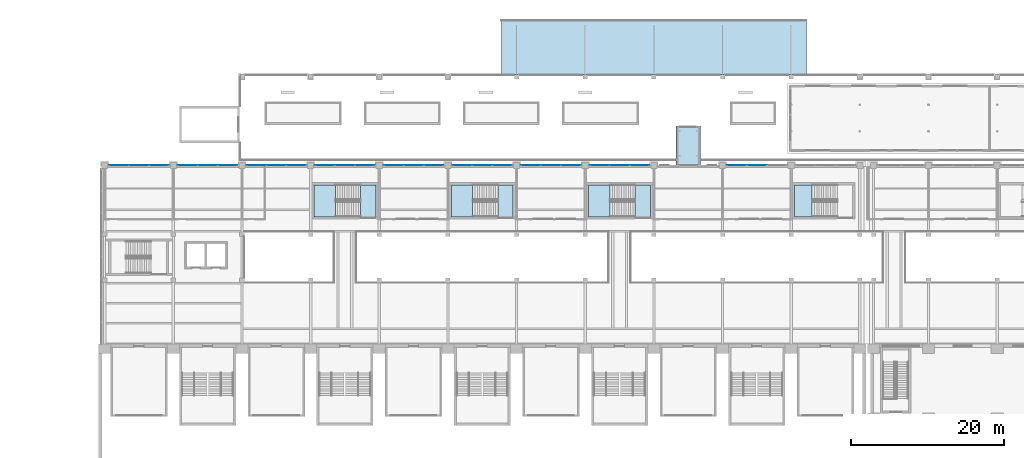
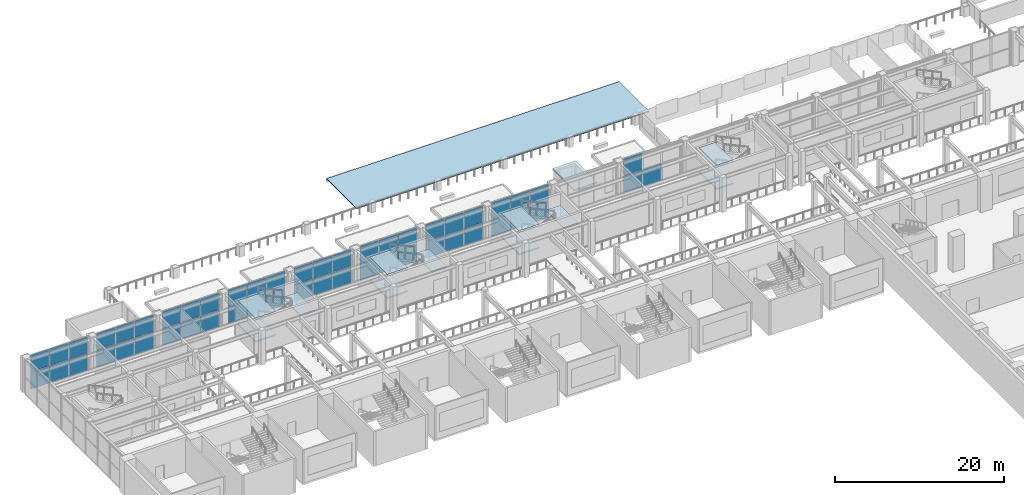
# One storey, part 31 of 67: 51 plates, 13 slabs, 13 elements without a shape of their own.
"""IFC4 building model written with IfcOpenShell, lengths in metres."""

from ifc_helpers import new_model, si_unit, direction, frame, origin, origin_2d, place, context, subcontext, project, spatial, polyline, rectangle, outline, extrude, material, layer, layer_set, type_object, element, aggregate, save


model = new_model("IFC4")

# Units and contexts
model_context = context("Model", 3, precision=1e-05, world=origin(), true_north=direction((0.0, 1.0)))
body_context = subcontext(model_context, "Body", "Model", "MODEL_VIEW")
ifc_project = project(units=[si_unit("LENGTHUNIT", "METRE"), si_unit("AREAUNIT", "SQUARE_METRE"), si_unit("VOLUMEUNIT", "CUBIC_METRE"), si_unit("PLANEANGLEUNIT", "RADIAN"), si_unit("MASSUNIT", "GRAM", prefix="KILO")], contexts=[model_context])

# Site, building, storey
site_placement = place(None, origin())
site = spatial("IfcSite", under=ifc_project, at=site_placement, CompositionType="ELEMENT")
building_placement = place(site_placement, origin())
building = spatial("IfcBuilding", under=site, at=building_placement, Name="Aravalli Gate Trade Fair Centre", CompositionType="ELEMENT")
storey_placement = place(building_placement, frame((0.0, 0.0, 5.0)))
storey = spatial("IfcBuildingStorey", under=building, at=storey_placement, Name="L01", CompositionType="ELEMENT", Elevation=5.0)

# Stair, slabs
ifc_material_1 = material(Name="Concrete M30", Category="concrete")
stair_type = type_object("IfcStairType", Name="Concourse stair, 2000 wide", PredefinedType="HALF_TURN_STAIR", material=ifc_material_1)
stair_1_placement = place(storey_placement, origin())
stair_1 = element("IfcStair", 1, at=stair_1_placement, inside=storey, type_object=stair_type, Name="Stair XA L01", PredefinedType="HALF_TURN_STAIR")
ifc_layer_1 = layer(ifc_material_1, 0.199951171875)
ifc_layer_set_1 = layer_set([ifc_layer_1], Name="Concrete M30")
slab_type_1 = type_object("IfcSlabType", Name="Concourse stair landing 200", PredefinedType="LANDING", material=ifc_layer_set_1)
slab_1_placement = place(storey_placement, frame((0.0, 0.0, 1.466796875)))
slab_1 = element("IfcSlab", 2, at=slab_1_placement, type_object=slab_type_1, Name="STXA-L01 landing 1", PredefinedType="LANDING", context=body_context, shape_type="SweptSolid", body=[
    extrude(outline(polyline([(33.449951171875, 126.300048828125), (36.25, 126.300048828125), (36.25, 130.5), (33.449951171875, 130.5), (33.449951171875, 126.300048828125)])), origin(), (0.0, 0.0, 1.0), 0.199951171875),
])
slab_2_placement = place(storey_placement, frame((0.0, 0.0, 3.13330078125)))
slab_2 = element("IfcSlab", 3, at=slab_2_placement, type_object=slab_type_1, Name="STXA-L01 landing 2", PredefinedType="LANDING", context=body_context, shape_type="SweptSolid", body=[
    extrude(outline(polyline([(39.550048828125, 126.300048828125), (41.550048828125, 126.300048828125), (41.550048828125, 130.5), (39.550048828125, 130.5), (39.550048828125, 126.300048828125)])), origin(), (0.0, 0.0, 1.0), 0.199951171875),
])
slab_3_placement = place(storey_placement, frame((0.0, 0.0, 4.800048828125)))
slab_3 = element("IfcSlab", 4, at=slab_3_placement, type_object=slab_type_1, Name="STXA-L01 landing 3", PredefinedType="LANDING", context=body_context, shape_type="SweptSolid", body=[
    extrude(outline(polyline([(33.449951171875, 126.300048828125), (36.25, 126.300048828125), (36.25, 130.5), (33.449951171875, 130.5), (33.449951171875, 126.300048828125)])), origin(), (0.0, 0.0, 1.0), 0.199951171875),
])
aggregate(stair_1, [slab_1, slab_2, slab_3])

stair_2_placement = place(storey_placement, origin())
stair_2 = element("IfcStair", 5, at=stair_2_placement, inside=storey, type_object=stair_type, Name="Stair XB L01", PredefinedType="HALF_TURN_STAIR")
slab_4_placement = place(storey_placement, frame((0.0, 0.0, 1.466796875)))
slab_4 = element("IfcSlab", 6, at=slab_4_placement, type_object=slab_type_1, Name="STXB-L01 landing 1", PredefinedType="LANDING", context=body_context, shape_type="SweptSolid", body=[
    extrude(outline(polyline([(51.449951171875, 126.300048828125), (54.25, 126.300048828125), (54.25, 130.5), (51.449951171875, 130.5), (51.449951171875, 126.300048828125)])), origin(), (0.0, 0.0, 1.0), 0.199951171875),
])
slab_5_placement = place(storey_placement, frame((0.0, 0.0, 3.13330078125)))
slab_5 = element("IfcSlab", 7, at=slab_5_placement, type_object=slab_type_1, Name="STXB-L01 landing 2", PredefinedType="LANDING", context=body_context, shape_type="SweptSolid", body=[
    extrude(outline(polyline([(57.550048828125, 126.300048828125), (59.550048828125, 126.300048828125), (59.550048828125, 130.5), (57.550048828125, 130.5), (57.550048828125, 126.300048828125)])), origin(), (0.0, 0.0, 1.0), 0.199951171875),
])
slab_6_placement = place(storey_placement, frame((0.0, 0.0, 4.800048828125)))
slab_6 = element("IfcSlab", 8, at=slab_6_placement, type_object=slab_type_1, Name="STXB-L01 landing 3", PredefinedType="LANDING", context=body_context, shape_type="SweptSolid", body=[
    extrude(outline(polyline([(51.449951171875, 126.300048828125), (54.25, 126.300048828125), (54.25, 130.5), (51.449951171875, 130.5), (51.449951171875, 126.300048828125)])), origin(), (0.0, 0.0, 1.0), 0.199951171875),
])
aggregate(stair_2, [slab_4, slab_5, slab_6])

stair_3_placement = place(storey_placement, origin())
stair_3 = element("IfcStair", 9, at=stair_3_placement, inside=storey, type_object=stair_type, Name="Stair XC L01", PredefinedType="HALF_TURN_STAIR")
slab_7_placement = place(storey_placement, frame((0.0, 0.0, 1.466796875)))
slab_7 = element("IfcSlab", 10, at=slab_7_placement, type_object=slab_type_1, Name="STXC-L01 landing 1", PredefinedType="LANDING", context=body_context, shape_type="SweptSolid", body=[
    extrude(outline(polyline([(69.449951171875, 126.300048828125), (72.25, 126.300048828125), (72.25, 130.5), (69.449951171875, 130.5), (69.449951171875, 126.300048828125)])), origin(), (0.0, 0.0, 1.0), 0.199951171875),
])
slab_8_placement = place(storey_placement, frame((0.0, 0.0, 3.13330078125)))
slab_8 = element("IfcSlab", 11, at=slab_8_placement, type_object=slab_type_1, Name="STXC-L01 landing 2", PredefinedType="LANDING", context=body_context, shape_type="SweptSolid", body=[
    extrude(outline(polyline([(75.550048828125, 126.300048828125), (77.550048828125, 126.300048828125), (77.550048828125, 130.5), (75.550048828125, 130.5), (75.550048828125, 126.300048828125)])), origin(), (0.0, 0.0, 1.0), 0.199951171875),
])
slab_9_placement = place(storey_placement, frame((0.0, 0.0, 4.800048828125)))
slab_9 = element("IfcSlab", 12, at=slab_9_placement, type_object=slab_type_1, Name="STXC-L01 landing 3", PredefinedType="LANDING", context=body_context, shape_type="SweptSolid", body=[
    extrude(outline(polyline([(69.449951171875, 126.300048828125), (72.25, 126.300048828125), (72.25, 130.5), (69.449951171875, 130.5), (69.449951171875, 126.300048828125)])), origin(), (0.0, 0.0, 1.0), 0.199951171875),
])
aggregate(stair_3, [slab_7, slab_8, slab_9])

stair_4_placement = place(storey_placement, origin())
stair_4 = element("IfcStair", 13, at=stair_4_placement, inside=storey, type_object=stair_type, Name="Stair XD L01", PredefinedType="HALF_TURN_STAIR")
slab_10_placement = place(storey_placement, frame((0.0, 0.0, 1.466796875)))
slab_10 = element("IfcSlab", 14, at=slab_10_placement, type_object=slab_type_1, Name="STXD-L01 landing 1", PredefinedType="LANDING", context=body_context, shape_type="SweptSolid", body=[
    extrude(outline(polyline([(96.449951171875, 126.300048828125), (98.75, 126.300048828125), (98.75, 130.5), (96.449951171875, 130.5), (96.449951171875, 126.300048828125)])), origin(), (0.0, 0.0, 1.0), 0.199951171875),
])
slab_11_placement = place(storey_placement, frame((0.0, 0.0, 4.800048828125)))
slab_11 = element("IfcSlab", 15, at=slab_11_placement, type_object=slab_type_1, Name="STXD-L01 landing 3", PredefinedType="LANDING", context=body_context, shape_type="SweptSolid", body=[
    extrude(outline(polyline([(96.449951171875, 126.300048828125), (98.75, 126.300048828125), (98.75, 130.5), (96.449951171875, 130.5), (96.449951171875, 126.300048828125)])), origin(), (0.0, 0.0, 1.0), 0.199951171875),
])
aggregate(stair_4, [slab_10, slab_11])

# Curtain wall, plates
ifc_material_2 = material(Name="Aluminium and glass", Category="aluminium")
curtain_wall_type = type_object("IfcCurtainWallType", Name="Curtain wall 3000 module, tall", PredefinedType="NOTDEFINED", material=ifc_material_2)
curtain_wall_1_placement = place(storey_placement, origin())
curtain_wall_1 = element("IfcCurtainWall", 16, at=curtain_wall_1_placement, inside=storey, type_object=curtain_wall_type, Name="Curtain wall north bay 1 L01", PredefinedType="NOTDEFINED")
ifc_material_3 = material(Name="Glass, double glazed", Category="glass")
ifc_layer_2 = layer(ifc_material_3, 0.028076171875)
ifc_layer_set_2 = layer_set([ifc_layer_2], Name="Glass, double glazed")
plate_type = type_object("IfcPlateType", Name="Curtain wall panel, double glazed 28", PredefinedType="CURTAIN_PANEL", material=ifc_layer_set_2)
plate_1_placement = place(storey_placement, frame((7.881591796875, 133.044921875, 0.06005859375), z_axis=(0.0, 0.0, 1.0), x_axis=(1.0, 0.0, 0.0)))
plate_1 = element("IfcPlate", 17, at=plate_1_placement, type_object=plate_type, Name="CW3 panel 1.1", PredefinedType="CURTAIN_PANEL", context=body_context, shape_type="SweptSolid", body=[
    extrude(rectangle(XDim=2.543212890625, YDim=0.028076171875, at=origin_2d()), origin(), (0.0, 0.0, 1.0), 2.409912109375),
])
plate_2_placement = place(storey_placement, frame((7.881591796875, 133.044921875, 2.5302734375), z_axis=(0.0, 0.0, 1.0), x_axis=(1.0, 0.0, 0.0)))
plate_2 = element("IfcPlate", 18, at=plate_2_placement, type_object=plate_type, Name="CW3 panel 1.2", PredefinedType="CURTAIN_PANEL", context=body_context, shape_type="SweptSolid", body=[
    extrude(rectangle(XDim=2.543212890625, YDim=0.028076171875, at=origin_2d()), origin(), (0.0, 0.0, 1.0), 2.409912109375),
])
plate_3_placement = place(storey_placement, frame((10.5, 133.044921875, 0.06005859375), z_axis=(0.0, 0.0, 1.0), x_axis=(1.0, 0.0, 0.0)))
plate_3 = element("IfcPlate", 19, at=plate_3_placement, type_object=plate_type, Name="CW3 panel 2.1", PredefinedType="CURTAIN_PANEL", context=body_context, shape_type="SweptSolid", body=[
    extrude(rectangle(XDim=2.5732421875, YDim=0.028076171875, at=origin_2d()), origin(), (0.0, 0.0, 1.0), 2.409912109375),
])
plate_4_placement = place(storey_placement, frame((10.5, 133.044921875, 2.5302734375), z_axis=(0.0, 0.0, 1.0), x_axis=(1.0, 0.0, 0.0)))
plate_4 = element("IfcPlate", 20, at=plate_4_placement, type_object=plate_type, Name="CW3 panel 2.2", PredefinedType="CURTAIN_PANEL", context=body_context, shape_type="SweptSolid", body=[
    extrude(rectangle(XDim=2.5732421875, YDim=0.028076171875, at=origin_2d()), origin(), (0.0, 0.0, 1.0), 2.409912109375),
])
plate_5_placement = place(storey_placement, frame((13.118408203125, 133.044921875, 0.06005859375), z_axis=(0.0, 0.0, 1.0), x_axis=(1.0, 0.0, 0.0)))
plate_5 = element("IfcPlate", 21, at=plate_5_placement, type_object=plate_type, Name="CW3 panel 3.1", PredefinedType="CURTAIN_PANEL", context=body_context, shape_type="SweptSolid", body=[
    extrude(rectangle(XDim=2.543212890625, YDim=0.028076171875, at=origin_2d()), origin(), (0.0, 0.0, 1.0), 2.409912109375),
])
plate_6_placement = place(storey_placement, frame((13.118408203125, 133.044921875, 2.5302734375), z_axis=(0.0, 0.0, 1.0), x_axis=(1.0, 0.0, 0.0)))
plate_6 = element("IfcPlate", 22, at=plate_6_placement, type_object=plate_type, Name="CW3 panel 3.2", PredefinedType="CURTAIN_PANEL", context=body_context, shape_type="SweptSolid", body=[
    extrude(rectangle(XDim=2.543212890625, YDim=0.028076171875, at=origin_2d()), origin(), (0.0, 0.0, 1.0), 2.409912109375),
])
aggregate(curtain_wall_1, [plate_1, plate_2, plate_3, plate_4, plate_5, plate_6])

curtain_wall_2_placement = place(storey_placement, origin())
curtain_wall_2 = element("IfcCurtainWall", 23, at=curtain_wall_2_placement, inside=storey, type_object=curtain_wall_type, Name="Curtain wall north bay 2 L01", PredefinedType="NOTDEFINED")
plate_7_placement = place(storey_placement, frame((16.881591796875, 133.044921875, 0.06005859375), z_axis=(0.0, 0.0, 1.0), x_axis=(1.0, 0.0, 0.0)))
plate_7 = element("IfcPlate", 24, at=plate_7_placement, type_object=plate_type, Name="CW3 panel 1.1", PredefinedType="CURTAIN_PANEL", context=body_context, shape_type="SweptSolid", body=[
    extrude(rectangle(XDim=2.543212890625, YDim=0.028076171875, at=origin_2d()), origin(), (0.0, 0.0, 1.0), 2.409912109375),
])
plate_8_placement = place(storey_placement, frame((16.881591796875, 133.044921875, 2.5302734375), z_axis=(0.0, 0.0, 1.0), x_axis=(1.0, 0.0, 0.0)))
plate_8 = element("IfcPlate", 25, at=plate_8_placement, type_object=plate_type, Name="CW3 panel 1.2", PredefinedType="CURTAIN_PANEL", context=body_context, shape_type="SweptSolid", body=[
    extrude(rectangle(XDim=2.543212890625, YDim=0.028076171875, at=origin_2d()), origin(), (0.0, 0.0, 1.0), 2.409912109375),
])
plate_9_placement = place(storey_placement, frame((19.5, 133.044921875, 0.06005859375), z_axis=(0.0, 0.0, 1.0), x_axis=(1.0, 0.0, 0.0)))
plate_9 = element("IfcPlate", 26, at=plate_9_placement, type_object=plate_type, Name="CW3 panel 2.1", PredefinedType="CURTAIN_PANEL", context=body_context, shape_type="SweptSolid", body=[
    extrude(rectangle(XDim=2.5732421875, YDim=0.028076171875, at=origin_2d()), origin(), (0.0, 0.0, 1.0), 2.409912109375),
])
plate_10_placement = place(storey_placement, frame((19.5, 133.044921875, 2.5302734375), z_axis=(0.0, 0.0, 1.0), x_axis=(1.0, 0.0, 0.0)))
plate_10 = element("IfcPlate", 27, at=plate_10_placement, type_object=plate_type, Name="CW3 panel 2.2", PredefinedType="CURTAIN_PANEL", context=body_context, shape_type="SweptSolid", body=[
    extrude(rectangle(XDim=2.5732421875, YDim=0.028076171875, at=origin_2d()), origin(), (0.0, 0.0, 1.0), 2.409912109375),
])
plate_11_placement = place(storey_placement, frame((22.118408203125, 133.044921875, 0.06005859375), z_axis=(0.0, 0.0, 1.0), x_axis=(1.0, 0.0, 0.0)))
plate_11 = element("IfcPlate", 28, at=plate_11_placement, type_object=plate_type, Name="CW3 panel 3.1", PredefinedType="CURTAIN_PANEL", context=body_context, shape_type="SweptSolid", body=[
    extrude(rectangle(XDim=2.543212890625, YDim=0.028076171875, at=origin_2d()), origin(), (0.0, 0.0, 1.0), 2.409912109375),
])
plate_12_placement = place(storey_placement, frame((22.118408203125, 133.044921875, 2.5302734375), z_axis=(0.0, 0.0, 1.0), x_axis=(1.0, 0.0, 0.0)))
plate_12 = element("IfcPlate", 29, at=plate_12_placement, type_object=plate_type, Name="CW3 panel 3.2", PredefinedType="CURTAIN_PANEL", context=body_context, shape_type="SweptSolid", body=[
    extrude(rectangle(XDim=2.543212890625, YDim=0.028076171875, at=origin_2d()), origin(), (0.0, 0.0, 1.0), 2.409912109375),
])
aggregate(curtain_wall_2, [plate_7, plate_8, plate_9, plate_10, plate_11, plate_12])

curtain_wall_3_placement = place(storey_placement, origin())
curtain_wall_3 = element("IfcCurtainWall", 30, at=curtain_wall_3_placement, inside=storey, type_object=curtain_wall_type, Name="Curtain wall north bay 3 L01", PredefinedType="NOTDEFINED")
plate_13_placement = place(storey_placement, frame((25.881591796875, 133.044921875, 0.06005859375), z_axis=(0.0, 0.0, 1.0), x_axis=(1.0, 0.0, 0.0)))
plate_13 = element("IfcPlate", 31, at=plate_13_placement, type_object=plate_type, Name="CW3 panel 1.1", PredefinedType="CURTAIN_PANEL", context=body_context, shape_type="SweptSolid", body=[
    extrude(rectangle(XDim=2.543212890625, YDim=0.028076171875, at=origin_2d()), origin(), (0.0, 0.0, 1.0), 2.409912109375),
])
plate_14_placement = place(storey_placement, frame((25.881591796875, 133.044921875, 2.5302734375), z_axis=(0.0, 0.0, 1.0), x_axis=(1.0, 0.0, 0.0)))
plate_14 = element("IfcPlate", 32, at=plate_14_placement, type_object=plate_type, Name="CW3 panel 1.2", PredefinedType="CURTAIN_PANEL", context=body_context, shape_type="SweptSolid", body=[
    extrude(rectangle(XDim=2.543212890625, YDim=0.028076171875, at=origin_2d()), origin(), (0.0, 0.0, 1.0), 2.409912109375),
])
plate_15_placement = place(storey_placement, frame((28.5, 133.044921875, 0.06005859375), z_axis=(0.0, 0.0, 1.0), x_axis=(1.0, 0.0, 0.0)))
plate_15 = element("IfcPlate", 33, at=plate_15_placement, type_object=plate_type, Name="CW3 panel 2.1", PredefinedType="CURTAIN_PANEL", context=body_context, shape_type="SweptSolid", body=[
    extrude(rectangle(XDim=2.5732421875, YDim=0.028076171875, at=origin_2d()), origin(), (0.0, 0.0, 1.0), 2.409912109375),
])
plate_16_placement = place(storey_placement, frame((28.5, 133.044921875, 2.5302734375), z_axis=(0.0, 0.0, 1.0), x_axis=(1.0, 0.0, 0.0)))
plate_16 = element("IfcPlate", 34, at=plate_16_placement, type_object=plate_type, Name="CW3 panel 2.2", PredefinedType="CURTAIN_PANEL", context=body_context, shape_type="SweptSolid", body=[
    extrude(rectangle(XDim=2.5732421875, YDim=0.028076171875, at=origin_2d()), origin(), (0.0, 0.0, 1.0), 2.409912109375),
])
plate_17_placement = place(storey_placement, frame((31.118408203125, 133.044921875, 0.06005859375), z_axis=(0.0, 0.0, 1.0), x_axis=(1.0, 0.0, 0.0)))
plate_17 = element("IfcPlate", 35, at=plate_17_placement, type_object=plate_type, Name="CW3 panel 3.1", PredefinedType="CURTAIN_PANEL", context=body_context, shape_type="SweptSolid", body=[
    extrude(rectangle(XDim=2.543212890625, YDim=0.028076171875, at=origin_2d()), origin(), (0.0, 0.0, 1.0), 2.409912109375),
])
plate_18_placement = place(storey_placement, frame((31.118408203125, 133.044921875, 2.5302734375), z_axis=(0.0, 0.0, 1.0), x_axis=(1.0, 0.0, 0.0)))
plate_18 = element("IfcPlate", 36, at=plate_18_placement, type_object=plate_type, Name="CW3 panel 3.2", PredefinedType="CURTAIN_PANEL", context=body_context, shape_type="SweptSolid", body=[
    extrude(rectangle(XDim=2.543212890625, YDim=0.028076171875, at=origin_2d()), origin(), (0.0, 0.0, 1.0), 2.409912109375),
])
aggregate(curtain_wall_3, [plate_13, plate_14, plate_15, plate_16, plate_17, plate_18])

curtain_wall_4_placement = place(storey_placement, origin())
curtain_wall_4 = element("IfcCurtainWall", 37, at=curtain_wall_4_placement, inside=storey, type_object=curtain_wall_type, Name="Curtain wall north bay 4 L01", PredefinedType="NOTDEFINED")
plate_19_placement = place(storey_placement, frame((34.881591796875, 133.044921875, 0.06005859375), z_axis=(0.0, 0.0, 1.0), x_axis=(1.0, 0.0, 0.0)))
plate_19 = element("IfcPlate", 38, at=plate_19_placement, type_object=plate_type, Name="CW3 panel 1.1", PredefinedType="CURTAIN_PANEL", context=body_context, shape_type="SweptSolid", body=[
    extrude(rectangle(XDim=2.543212890625, YDim=0.028076171875, at=origin_2d()), origin(), (0.0, 0.0, 1.0), 2.409912109375),
])
plate_20_placement = place(storey_placement, frame((34.881591796875, 133.044921875, 2.5302734375), z_axis=(0.0, 0.0, 1.0), x_axis=(1.0, 0.0, 0.0)))
plate_20 = element("IfcPlate", 39, at=plate_20_placement, type_object=plate_type, Name="CW3 panel 1.2", PredefinedType="CURTAIN_PANEL", context=body_context, shape_type="SweptSolid", body=[
    extrude(rectangle(XDim=2.543212890625, YDim=0.028076171875, at=origin_2d()), origin(), (0.0, 0.0, 1.0), 2.409912109375),
])
plate_21_placement = place(storey_placement, frame((37.5, 133.044921875, 0.06005859375), z_axis=(0.0, 0.0, 1.0), x_axis=(1.0, 0.0, 0.0)))
plate_21 = element("IfcPlate", 40, at=plate_21_placement, type_object=plate_type, Name="CW3 panel 2.1", PredefinedType="CURTAIN_PANEL", context=body_context, shape_type="SweptSolid", body=[
    extrude(rectangle(XDim=2.5732421875, YDim=0.028076171875, at=origin_2d()), origin(), (0.0, 0.0, 1.0), 2.409912109375),
])
plate_22_placement = place(storey_placement, frame((37.5, 133.044921875, 2.5302734375), z_axis=(0.0, 0.0, 1.0), x_axis=(1.0, 0.0, 0.0)))
plate_22 = element("IfcPlate", 41, at=plate_22_placement, type_object=plate_type, Name="CW3 panel 2.2", PredefinedType="CURTAIN_PANEL", context=body_context, shape_type="SweptSolid", body=[
    extrude(rectangle(XDim=2.5732421875, YDim=0.028076171875, at=origin_2d()), origin(), (0.0, 0.0, 1.0), 2.409912109375),
])
plate_23_placement = place(storey_placement, frame((40.118408203125, 133.044921875, 0.06005859375), z_axis=(0.0, 0.0, 1.0), x_axis=(1.0, 0.0, 0.0)))
plate_23 = element("IfcPlate", 42, at=plate_23_placement, type_object=plate_type, Name="CW3 panel 3.1", PredefinedType="CURTAIN_PANEL", context=body_context, shape_type="SweptSolid", body=[
    extrude(rectangle(XDim=2.543212890625, YDim=0.028076171875, at=origin_2d()), origin(), (0.0, 0.0, 1.0), 2.409912109375),
])
plate_24_placement = place(storey_placement, frame((40.118408203125, 133.044921875, 2.5302734375), z_axis=(0.0, 0.0, 1.0), x_axis=(1.0, 0.0, 0.0)))
plate_24 = element("IfcPlate", 43, at=plate_24_placement, type_object=plate_type, Name="CW3 panel 3.2", PredefinedType="CURTAIN_PANEL", context=body_context, shape_type="SweptSolid", body=[
    extrude(rectangle(XDim=2.543212890625, YDim=0.028076171875, at=origin_2d()), origin(), (0.0, 0.0, 1.0), 2.409912109375),
])
aggregate(curtain_wall_4, [plate_19, plate_20, plate_21, plate_22, plate_23, plate_24])

curtain_wall_5_placement = place(storey_placement, origin())
curtain_wall_5 = element("IfcCurtainWall", 44, at=curtain_wall_5_placement, inside=storey, type_object=curtain_wall_type, Name="Curtain wall north bay 5 L01", PredefinedType="NOTDEFINED")
plate_25_placement = place(storey_placement, frame((43.881591796875, 133.044921875, 0.06005859375), z_axis=(0.0, 0.0, 1.0), x_axis=(1.0, 0.0, 0.0)))
plate_25 = element("IfcPlate", 45, at=plate_25_placement, type_object=plate_type, Name="CW3 panel 1.1", PredefinedType="CURTAIN_PANEL", context=body_context, shape_type="SweptSolid", body=[
    extrude(rectangle(XDim=2.543212890625, YDim=0.028076171875, at=origin_2d()), origin(), (0.0, 0.0, 1.0), 2.409912109375),
])
plate_26_placement = place(storey_placement, frame((43.881591796875, 133.044921875, 2.5302734375), z_axis=(0.0, 0.0, 1.0), x_axis=(1.0, 0.0, 0.0)))
plate_26 = element("IfcPlate", 46, at=plate_26_placement, type_object=plate_type, Name="CW3 panel 1.2", PredefinedType="CURTAIN_PANEL", context=body_context, shape_type="SweptSolid", body=[
    extrude(rectangle(XDim=2.543212890625, YDim=0.028076171875, at=origin_2d()), origin(), (0.0, 0.0, 1.0), 2.409912109375),
])
plate_27_placement = place(storey_placement, frame((46.5, 133.044921875, 0.06005859375), z_axis=(0.0, 0.0, 1.0), x_axis=(1.0, 0.0, 0.0)))
plate_27 = element("IfcPlate", 47, at=plate_27_placement, type_object=plate_type, Name="CW3 panel 2.1", PredefinedType="CURTAIN_PANEL", context=body_context, shape_type="SweptSolid", body=[
    extrude(rectangle(XDim=2.5732421875, YDim=0.028076171875, at=origin_2d()), origin(), (0.0, 0.0, 1.0), 2.409912109375),
])
plate_28_placement = place(storey_placement, frame((46.5, 133.044921875, 2.5302734375), z_axis=(0.0, 0.0, 1.0), x_axis=(1.0, 0.0, 0.0)))
plate_28 = element("IfcPlate", 48, at=plate_28_placement, type_object=plate_type, Name="CW3 panel 2.2", PredefinedType="CURTAIN_PANEL", context=body_context, shape_type="SweptSolid", body=[
    extrude(rectangle(XDim=2.5732421875, YDim=0.028076171875, at=origin_2d()), origin(), (0.0, 0.0, 1.0), 2.409912109375),
])
plate_29_placement = place(storey_placement, frame((49.118408203125, 133.044921875, 0.06005859375), z_axis=(0.0, 0.0, 1.0), x_axis=(1.0, 0.0, 0.0)))
plate_29 = element("IfcPlate", 49, at=plate_29_placement, type_object=plate_type, Name="CW3 panel 3.1", PredefinedType="CURTAIN_PANEL", context=body_context, shape_type="SweptSolid", body=[
    extrude(rectangle(XDim=2.543212890625, YDim=0.028076171875, at=origin_2d()), origin(), (0.0, 0.0, 1.0), 2.409912109375),
])
plate_30_placement = place(storey_placement, frame((49.118408203125, 133.044921875, 2.5302734375), z_axis=(0.0, 0.0, 1.0), x_axis=(1.0, 0.0, 0.0)))
plate_30 = element("IfcPlate", 50, at=plate_30_placement, type_object=plate_type, Name="CW3 panel 3.2", PredefinedType="CURTAIN_PANEL", context=body_context, shape_type="SweptSolid", body=[
    extrude(rectangle(XDim=2.543212890625, YDim=0.028076171875, at=origin_2d()), origin(), (0.0, 0.0, 1.0), 2.409912109375),
])
aggregate(curtain_wall_5, [plate_25, plate_26, plate_27, plate_28, plate_29, plate_30])

curtain_wall_6_placement = place(storey_placement, origin())
curtain_wall_6 = element("IfcCurtainWall", 51, at=curtain_wall_6_placement, inside=storey, type_object=curtain_wall_type, Name="Curtain wall north bay 6 L01", PredefinedType="NOTDEFINED")
plate_31_placement = place(storey_placement, frame((52.881591796875, 133.044921875, 0.06005859375), z_axis=(0.0, 0.0, 1.0), x_axis=(1.0, 0.0, 0.0)))
plate_31 = element("IfcPlate", 52, at=plate_31_placement, type_object=plate_type, Name="CW3 panel 1.1", PredefinedType="CURTAIN_PANEL", context=body_context, shape_type="SweptSolid", body=[
    extrude(rectangle(XDim=2.543212890625, YDim=0.028076171875, at=origin_2d()), origin(), (0.0, 0.0, 1.0), 2.409912109375),
])
plate_32_placement = place(storey_placement, frame((52.881591796875, 133.044921875, 2.5302734375), z_axis=(0.0, 0.0, 1.0), x_axis=(1.0, 0.0, 0.0)))
plate_32 = element("IfcPlate", 53, at=plate_32_placement, type_object=plate_type, Name="CW3 panel 1.2", PredefinedType="CURTAIN_PANEL", context=body_context, shape_type="SweptSolid", body=[
    extrude(rectangle(XDim=2.543212890625, YDim=0.028076171875, at=origin_2d()), origin(), (0.0, 0.0, 1.0), 2.409912109375),
])
plate_33_placement = place(storey_placement, frame((55.5, 133.044921875, 0.06005859375), z_axis=(0.0, 0.0, 1.0), x_axis=(1.0, 0.0, 0.0)))
plate_33 = element("IfcPlate", 54, at=plate_33_placement, type_object=plate_type, Name="CW3 panel 2.1", PredefinedType="CURTAIN_PANEL", context=body_context, shape_type="SweptSolid", body=[
    extrude(rectangle(XDim=2.5732421875, YDim=0.028076171875, at=origin_2d()), origin(), (0.0, 0.0, 1.0), 2.409912109375),
])
plate_34_placement = place(storey_placement, frame((55.5, 133.044921875, 2.5302734375), z_axis=(0.0, 0.0, 1.0), x_axis=(1.0, 0.0, 0.0)))
plate_34 = element("IfcPlate", 55, at=plate_34_placement, type_object=plate_type, Name="CW3 panel 2.2", PredefinedType="CURTAIN_PANEL", context=body_context, shape_type="SweptSolid", body=[
    extrude(rectangle(XDim=2.5732421875, YDim=0.028076171875, at=origin_2d()), origin(), (0.0, 0.0, 1.0), 2.409912109375),
])
plate_35_placement = place(storey_placement, frame((58.118408203125, 133.044921875, 0.06005859375), z_axis=(0.0, 0.0, 1.0), x_axis=(1.0, 0.0, 0.0)))
plate_35 = element("IfcPlate", 56, at=plate_35_placement, type_object=plate_type, Name="CW3 panel 3.1", PredefinedType="CURTAIN_PANEL", context=body_context, shape_type="SweptSolid", body=[
    extrude(rectangle(XDim=2.543212890625, YDim=0.028076171875, at=origin_2d()), origin(), (0.0, 0.0, 1.0), 2.409912109375),
])
plate_36_placement = place(storey_placement, frame((58.118408203125, 133.044921875, 2.5302734375), z_axis=(0.0, 0.0, 1.0), x_axis=(1.0, 0.0, 0.0)))
plate_36 = element("IfcPlate", 57, at=plate_36_placement, type_object=plate_type, Name="CW3 panel 3.2", PredefinedType="CURTAIN_PANEL", context=body_context, shape_type="SweptSolid", body=[
    extrude(rectangle(XDim=2.543212890625, YDim=0.028076171875, at=origin_2d()), origin(), (0.0, 0.0, 1.0), 2.409912109375),
])
aggregate(curtain_wall_6, [plate_31, plate_32, plate_33, plate_34, plate_35, plate_36])

curtain_wall_7_placement = place(storey_placement, origin())
curtain_wall_7 = element("IfcCurtainWall", 58, at=curtain_wall_7_placement, inside=storey, type_object=curtain_wall_type, Name="Curtain wall north bay 7 L01", PredefinedType="NOTDEFINED")
plate_37_placement = place(storey_placement, frame((61.881591796875, 133.044921875, 0.06005859375), z_axis=(0.0, 0.0, 1.0), x_axis=(1.0, 0.0, 0.0)))
plate_37 = element("IfcPlate", 59, at=plate_37_placement, type_object=plate_type, Name="CW3 panel 1.1", PredefinedType="CURTAIN_PANEL", context=body_context, shape_type="SweptSolid", body=[
    extrude(rectangle(XDim=2.543212890625, YDim=0.028076171875, at=origin_2d()), origin(), (0.0, 0.0, 1.0), 2.409912109375),
])
plate_38_placement = place(storey_placement, frame((61.881591796875, 133.044921875, 2.5302734375), z_axis=(0.0, 0.0, 1.0), x_axis=(1.0, 0.0, 0.0)))
plate_38 = element("IfcPlate", 60, at=plate_38_placement, type_object=plate_type, Name="CW3 panel 1.2", PredefinedType="CURTAIN_PANEL", context=body_context, shape_type="SweptSolid", body=[
    extrude(rectangle(XDim=2.543212890625, YDim=0.028076171875, at=origin_2d()), origin(), (0.0, 0.0, 1.0), 2.409912109375),
])
plate_39_placement = place(storey_placement, frame((64.5, 133.044921875, 0.06005859375), z_axis=(0.0, 0.0, 1.0), x_axis=(1.0, 0.0, 0.0)))
plate_39 = element("IfcPlate", 61, at=plate_39_placement, type_object=plate_type, Name="CW3 panel 2.1", PredefinedType="CURTAIN_PANEL", context=body_context, shape_type="SweptSolid", body=[
    extrude(rectangle(XDim=2.5732421875, YDim=0.028076171875, at=origin_2d()), origin(), (0.0, 0.0, 1.0), 2.409912109375),
])
plate_40_placement = place(storey_placement, frame((64.5, 133.044921875, 2.5302734375), z_axis=(0.0, 0.0, 1.0), x_axis=(1.0, 0.0, 0.0)))
plate_40 = element("IfcPlate", 62, at=plate_40_placement, type_object=plate_type, Name="CW3 panel 2.2", PredefinedType="CURTAIN_PANEL", context=body_context, shape_type="SweptSolid", body=[
    extrude(rectangle(XDim=2.5732421875, YDim=0.028076171875, at=origin_2d()), origin(), (0.0, 0.0, 1.0), 2.409912109375),
])
plate_41_placement = place(storey_placement, frame((67.118408203125, 133.044921875, 0.06005859375), z_axis=(0.0, 0.0, 1.0), x_axis=(1.0, 0.0, 0.0)))
plate_41 = element("IfcPlate", 63, at=plate_41_placement, type_object=plate_type, Name="CW3 panel 3.1", PredefinedType="CURTAIN_PANEL", context=body_context, shape_type="SweptSolid", body=[
    extrude(rectangle(XDim=2.543212890625, YDim=0.028076171875, at=origin_2d()), origin(), (0.0, 0.0, 1.0), 2.409912109375),
])
plate_42_placement = place(storey_placement, frame((67.118408203125, 133.044921875, 2.5302734375), z_axis=(0.0, 0.0, 1.0), x_axis=(1.0, 0.0, 0.0)))
plate_42 = element("IfcPlate", 64, at=plate_42_placement, type_object=plate_type, Name="CW3 panel 3.2", PredefinedType="CURTAIN_PANEL", context=body_context, shape_type="SweptSolid", body=[
    extrude(rectangle(XDim=2.543212890625, YDim=0.028076171875, at=origin_2d()), origin(), (0.0, 0.0, 1.0), 2.409912109375),
])
aggregate(curtain_wall_7, [plate_37, plate_38, plate_39, plate_40, plate_41, plate_42])

curtain_wall_8_placement = place(storey_placement, origin())
curtain_wall_8 = element("IfcCurtainWall", 65, at=curtain_wall_8_placement, inside=storey, type_object=curtain_wall_type, Name="Curtain wall north bay 8 L01", PredefinedType="NOTDEFINED")
plate_43_placement = place(storey_placement, frame((70.881591796875, 133.044921875, 0.06005859375), z_axis=(0.0, 0.0, 1.0), x_axis=(1.0, 0.0, 0.0)))
plate_43 = element("IfcPlate", 66, at=plate_43_placement, type_object=plate_type, Name="CW3 panel 1.1", PredefinedType="CURTAIN_PANEL", context=body_context, shape_type="SweptSolid", body=[
    extrude(rectangle(XDim=2.543212890625, YDim=0.028076171875, at=origin_2d()), origin(), (0.0, 0.0, 1.0), 2.409912109375),
])
plate_44_placement = place(storey_placement, frame((70.881591796875, 133.044921875, 2.5302734375), z_axis=(0.0, 0.0, 1.0), x_axis=(1.0, 0.0, 0.0)))
plate_44 = element("IfcPlate", 67, at=plate_44_placement, type_object=plate_type, Name="CW3 panel 1.2", PredefinedType="CURTAIN_PANEL", context=body_context, shape_type="SweptSolid", body=[
    extrude(rectangle(XDim=2.543212890625, YDim=0.028076171875, at=origin_2d()), origin(), (0.0, 0.0, 1.0), 2.409912109375),
])
plate_45_placement = place(storey_placement, frame((73.5, 133.044921875, 0.06005859375), z_axis=(0.0, 0.0, 1.0), x_axis=(1.0, 0.0, 0.0)))
plate_45 = element("IfcPlate", 68, at=plate_45_placement, type_object=plate_type, Name="CW3 panel 2.1", PredefinedType="CURTAIN_PANEL", context=body_context, shape_type="SweptSolid", body=[
    extrude(rectangle(XDim=2.5732421875, YDim=0.028076171875, at=origin_2d()), origin(), (0.0, 0.0, 1.0), 2.409912109375),
])
plate_46_placement = place(storey_placement, frame((73.5, 133.044921875, 2.5302734375), z_axis=(0.0, 0.0, 1.0), x_axis=(1.0, 0.0, 0.0)))
plate_46 = element("IfcPlate", 69, at=plate_46_placement, type_object=plate_type, Name="CW3 panel 2.2", PredefinedType="CURTAIN_PANEL", context=body_context, shape_type="SweptSolid", body=[
    extrude(rectangle(XDim=2.5732421875, YDim=0.028076171875, at=origin_2d()), origin(), (0.0, 0.0, 1.0), 2.409912109375),
])
plate_47_placement = place(storey_placement, frame((76.118408203125, 133.044921875, 0.06005859375), z_axis=(0.0, 0.0, 1.0), x_axis=(1.0, 0.0, 0.0)))
plate_47 = element("IfcPlate", 70, at=plate_47_placement, type_object=plate_type, Name="CW3 panel 3.1", PredefinedType="CURTAIN_PANEL", context=body_context, shape_type="SweptSolid", body=[
    extrude(rectangle(XDim=2.543212890625, YDim=0.028076171875, at=origin_2d()), origin(), (0.0, 0.0, 1.0), 2.409912109375),
])
plate_48_placement = place(storey_placement, frame((76.118408203125, 133.044921875, 2.5302734375), z_axis=(0.0, 0.0, 1.0), x_axis=(1.0, 0.0, 0.0)))
plate_48 = element("IfcPlate", 71, at=plate_48_placement, type_object=plate_type, Name="CW3 panel 3.2", PredefinedType="CURTAIN_PANEL", context=body_context, shape_type="SweptSolid", body=[
    extrude(rectangle(XDim=2.543212890625, YDim=0.028076171875, at=origin_2d()), origin(), (0.0, 0.0, 1.0), 2.409912109375),
])
aggregate(curtain_wall_8, [plate_43, plate_44, plate_45, plate_46, plate_47, plate_48])

curtain_wall_9_placement = place(storey_placement, origin())
curtain_wall_9 = element("IfcCurtainWall", 72, at=curtain_wall_9_placement, inside=storey, type_object=curtain_wall_type, Name="Curtain wall north bay 10 L01", PredefinedType="NOTDEFINED")
plate_49_placement = place(storey_placement, frame((88.881591796875, 133.044921875, 0.06005859375), z_axis=(0.0, 0.0, 1.0), x_axis=(1.0, 0.0, 0.0)))
plate_49 = element("IfcPlate", 73, at=plate_49_placement, type_object=plate_type, Name="CW3 panel 1.1", PredefinedType="CURTAIN_PANEL", context=body_context, shape_type="SweptSolid", body=[
    extrude(rectangle(XDim=2.543212890625, YDim=0.028076171875, at=origin_2d()), origin(), (0.0, 0.0, 1.0), 2.409912109375),
])
plate_50_placement = place(storey_placement, frame((88.881591796875, 133.044921875, 2.5302734375), z_axis=(0.0, 0.0, 1.0), x_axis=(1.0, 0.0, 0.0)))
plate_50 = element("IfcPlate", 74, at=plate_50_placement, type_object=plate_type, Name="CW3 panel 1.2", PredefinedType="CURTAIN_PANEL", context=body_context, shape_type="SweptSolid", body=[
    extrude(rectangle(XDim=2.543212890625, YDim=0.028076171875, at=origin_2d()), origin(), (0.0, 0.0, 1.0), 2.409912109375),
])
plate_51_placement = place(storey_placement, frame((91.5, 133.044921875, 0.06005859375), z_axis=(0.0, 0.0, 1.0), x_axis=(1.0, 0.0, 0.0)))
plate_51 = element("IfcPlate", 75, at=plate_51_placement, type_object=plate_type, Name="CW3 panel 2.1", PredefinedType="CURTAIN_PANEL", context=body_context, shape_type="SweptSolid", body=[
    extrude(rectangle(XDim=2.5732421875, YDim=0.028076171875, at=origin_2d()), origin(), (0.0, 0.0, 1.0), 2.409912109375),
])
aggregate(curtain_wall_9, [plate_49, plate_50, plate_51])

# Slabs
ifc_layer_3 = layer(ifc_material_1, 0.1201171875, Name="Concrete topping")
ifc_material_4 = material(Name="Steel E350", Category="steel")
ifc_layer_4 = layer(ifc_material_4, 0.030029296875, Name="Profiled deck sheet")
ifc_layer_set_3 = layer_set([ifc_layer_3, ifc_layer_4], Name="Entrance canopy roof 150")
slab_type_2 = type_object("IfcSlabType", Name="Entrance canopy roof 150", PredefinedType="ROOF", material=ifc_layer_set_3)
slab_12_placement = place(storey_placement, frame((0.0, 0.0, 0.85009765625)))
element("IfcSlab", 76, at=slab_12_placement, inside=storey, type_object=slab_type_2, Name="Entrance canopy roof", PredefinedType="ROOF", context=body_context, shape_type="SweptSolid", body=[
    extrude(outline(polyline([(98.0, 144.949951171875), (98.0, 152.0), (58.0, 152.0), (58.0, 144.949951171875), (98.0, 144.949951171875)])), origin(), (0.0, 0.0, 1.0), 0.14990234375),
])
ifc_layer_5 = layer(ifc_material_1, 0.169921875, Name="Concrete topping")
ifc_layer_6 = layer(ifc_material_4, 0.030029296875, Name="Profiled deck sheet")
ifc_layer_set_4 = layer_set([ifc_layer_5, ifc_layer_6], Name="Terrace roof deck 200")
slab_type_3 = type_object("IfcSlabType", Name="Terrace roof deck 200", PredefinedType="ROOF", material=ifc_layer_set_4)
slab_13_placement = place(storey_placement, frame((0.0, 0.0, 2.60009765625)))
element("IfcSlab", 77, at=slab_13_placement, inside=storey, type_object=slab_type_3, Name="Terrace lobby roof", PredefinedType="ROOF", context=body_context, shape_type="SweptSolid", body=[
    extrude(outline(polyline([(84.10009765625, 133.10009765625), (84.10009765625, 138.199951171875), (80.89990234375, 138.199951171875), (80.89990234375, 133.10009765625), (84.10009765625, 133.10009765625)])), origin(), (0.0, 0.0, 1.0), 0.199951171875),
])

save(model, "model.ifc")
